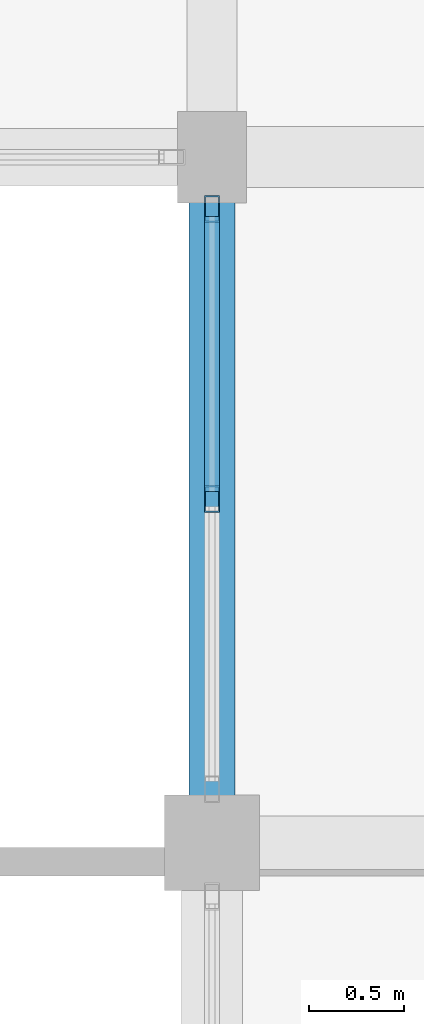
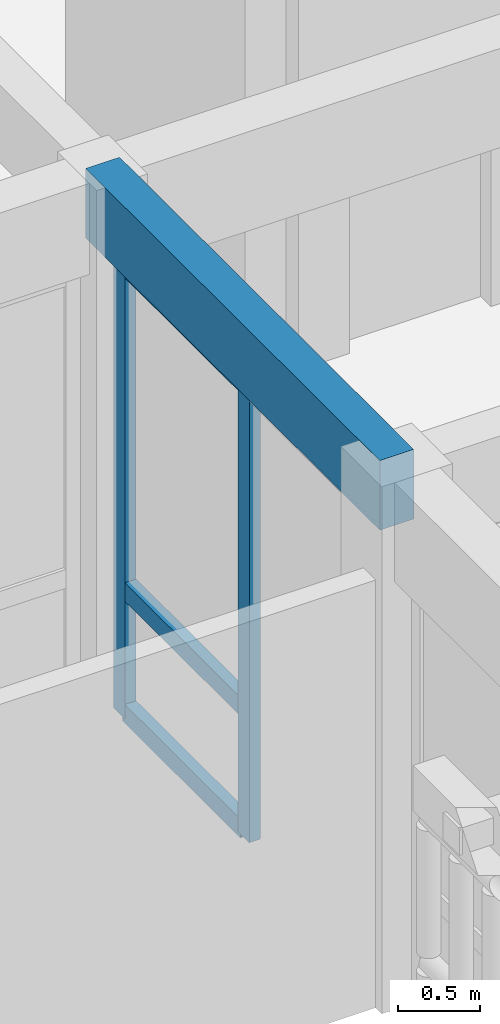
# One storey, part 61 of 112: 5 members, 1 beam, 1 element without a shape of its own.
"""IFC4 building model written with IfcOpenShell, lengths in metres."""

from ifc_helpers import new_model, si_unit, direction, frame, origin, origin_2d, place, context, subcontext, project, spatial, rectangle, hollow_rectangle, extrude, material, layer, layer_set, material_profile, profile_set, type_object, element, aggregate, save


model = new_model("IFC4")

# Units and contexts
model_context = context("Model", 3, precision=1e-05, world=origin(), true_north=direction((0.0, 1.0)))
body_context = subcontext(model_context, "Body", "Model", "MODEL_VIEW")
ifc_project = project(units=[si_unit("LENGTHUNIT", "METRE"), si_unit("AREAUNIT", "SQUARE_METRE"), si_unit("VOLUMEUNIT", "CUBIC_METRE"), si_unit("PLANEANGLEUNIT", "RADIAN"), si_unit("MASSUNIT", "GRAM", prefix="KILO")], contexts=[model_context])

# Site, building, storey
site_placement = place(None, origin())
site = spatial("IfcSite", under=ifc_project, at=site_placement, CompositionType="ELEMENT")
building_placement = place(site_placement, origin())
building = spatial("IfcBuilding", under=site, at=building_placement, Name="Mazaris Harbour Polytechnic", CompositionType="ELEMENT")
storey_placement = place(building_placement, frame((0.0, 0.0, 13.800048828125)))
storey = spatial("IfcBuildingStorey", under=building, at=storey_placement, Name="L03", CompositionType="ELEMENT", Elevation=13.800048828125)

# Curtain wall, members
ifc_material_1 = material(Name="Anodised Bronze Aluminium and Low-E Glass", Category="aluminium")
ifc_layer = layer(ifc_material_1, 0.169921875, Name="Anodised Bronze Aluminium and Low-E Glass")
ifc_layer_set = layer_set([ifc_layer], Name="Anodised Bronze Aluminium and Low-E Glass")
curtain_wall_type = type_object("IfcCurtainWallType", Name="Studio North-Light Curtain Wall", PredefinedType="NOTDEFINED", material=ifc_layer_set)
curtain_wall_placement = place(storey_placement, origin())
curtain_wall = element("IfcCurtainWall", 1, at=curtain_wall_placement, inside=storey, type_object=curtain_wall_type, Name="V5 L03 Curtain Wall 270", PredefinedType="NOTDEFINED")
ifc_material_2 = material(Name="Anodised Bronze Steel S355", Category="steel")
ifc_material_profile_1 = material_profile(ifc_material_2, hollow_rectangle(XDim=0.080078125, YDim=0.139892578125, WallThickness=0.00634765625, at=origin_2d()), Name="RHS 80x140x6.3")
ifc_profile_set_1 = profile_set([ifc_material_profile_1], Name="Anodised Bronze Steel S355")
member_type_1 = type_object("IfcMemberType", Name="Curtain Mullion RHS80x140", PredefinedType="MULLION", material=ifc_profile_set_1)
member_1_placement = place(storey_placement, frame((158.39990234375, 86.1279296875, 0.0), z_axis=(0.0, 0.0, 1.0), x_axis=(1.0, 0.0, 0.0)))
member_1 = element("IfcMember", 2, at=member_1_placement, type_object=member_type_1, Name="CW-03 mullion 1", PredefinedType="MULLION", context=body_context, shape_type="SweptSolid", body=[
    extrude(hollow_rectangle(XDim=0.080078125, YDim=0.139892578125, WallThickness=0.00634765625, at=origin_2d()), origin(), (0.0, 0.0, 1.0), 3.405029296875),
])
member_2_placement = place(storey_placement, frame((158.39990234375, 84.60498046875, 0.0), z_axis=(0.0, 0.0, 1.0), x_axis=(1.0, 0.0, 0.0)))
member_2 = element("IfcMember", 3, at=member_2_placement, type_object=member_type_1, Name="CW-03 mullion 2", PredefinedType="MULLION", context=body_context, shape_type="SweptSolid", body=[
    extrude(hollow_rectangle(XDim=0.080078125, YDim=0.139892578125, WallThickness=0.00634765625, at=origin_2d()), origin(), (0.0, 0.0, 1.0), 3.405029296875),
])
ifc_material_3 = material(Name="Anodised Bronze Steel S355", Category="steel")
ifc_material_profile_2 = material_profile(ifc_material_3, hollow_rectangle(XDim=0.080078125, YDim=0.139892578125, WallThickness=0.00634765625, at=origin_2d()), Name="RHS 80x140x6.3")
ifc_profile_set_2 = profile_set([ifc_material_profile_2], Name="Anodised Bronze Steel S355")
member_type_2 = type_object("IfcMemberType", Name="Curtain Transom RHS80x140", PredefinedType="USERDEFINED", material=ifc_profile_set_2)
member_3_placement = place(storey_placement, frame((158.39990234375, 86.087890625, 0.0400390625), z_axis=(0.0, -1.0, 0.0), x_axis=(1.0, 0.0, 0.0)))
member_3 = element("IfcMember", 4, at=member_3_placement, type_object=member_type_2, Name="CW-03 transom 1.1", ObjectType="TRANSOM", PredefinedType="USERDEFINED", context=body_context, shape_type="SweptSolid", body=[
    extrude(hollow_rectangle(XDim=0.080078125, YDim=0.139892578125, WallThickness=0.00634765625, at=origin_2d()), origin(), (0.0, 0.0, 1.0), 1.44287109375),
])
member_4_placement = place(storey_placement, frame((158.39990234375, 86.087890625, 0.949951171875), z_axis=(0.0, -1.0, 0.0), x_axis=(1.0, 0.0, 0.0)))
member_4 = element("IfcMember", 5, at=member_4_placement, type_object=member_type_2, Name="CW-03 transom 1.2", ObjectType="TRANSOM", PredefinedType="USERDEFINED", context=body_context, shape_type="SweptSolid", body=[
    extrude(hollow_rectangle(XDim=0.080078125, YDim=0.139892578125, WallThickness=0.00634765625, at=origin_2d()), origin(), (0.0, 0.0, 1.0), 1.44287109375),
])
member_5_placement = place(storey_placement, frame((158.39990234375, 86.087890625, 3.364990234375), z_axis=(0.0, -1.0, 0.0), x_axis=(1.0, 0.0, 0.0)))
member_5 = element("IfcMember", 6, at=member_5_placement, type_object=member_type_2, Name="CW-03 transom 1.3", ObjectType="TRANSOM", PredefinedType="USERDEFINED", context=body_context, shape_type="SweptSolid", body=[
    extrude(hollow_rectangle(XDim=0.080078125, YDim=0.139892578125, WallThickness=0.00634765625, at=origin_2d()), origin(), (0.0, 0.0, 1.0), 1.44287109375),
])
aggregate(curtain_wall, [member_1, member_2, member_3, member_4, member_5])

# Beam
ifc_material_4 = material(Name="Glulam GL32h", Category="wood")
ifc_material_profile_3 = material_profile(ifc_material_4, rectangle(XDim=0.239990234375, YDim=0.52001953125, at=origin_2d()), Name="RECT240x520")
ifc_profile_set_3 = profile_set([ifc_material_profile_3], Name="Glulam GL32h")
beam_type = type_object("IfcBeamType", Name="Glulam Girder 240x520", PredefinedType="BEAM", material=ifc_profile_set_3)
beam_placement = place(storey_placement, frame((158.39990234375, 82.800048828125, 3.675048828125), z_axis=(0.0, 1.0, 0.0), x_axis=(-1.0, 0.0, 0.0)))
element("IfcBeam", 7, at=beam_placement, inside=storey, type_object=beam_type, Name="V5 L03 Tie Girder 3350", PredefinedType="BEAM", context=body_context, shape_type="SweptSolid", body=[
    extrude(rectangle(XDim=0.239990234375, YDim=0.52001953125, at=origin_2d()), origin(), (0.0, 0.0, 1.0), 3.599853515625),
])

save(model, "model.ifc")
